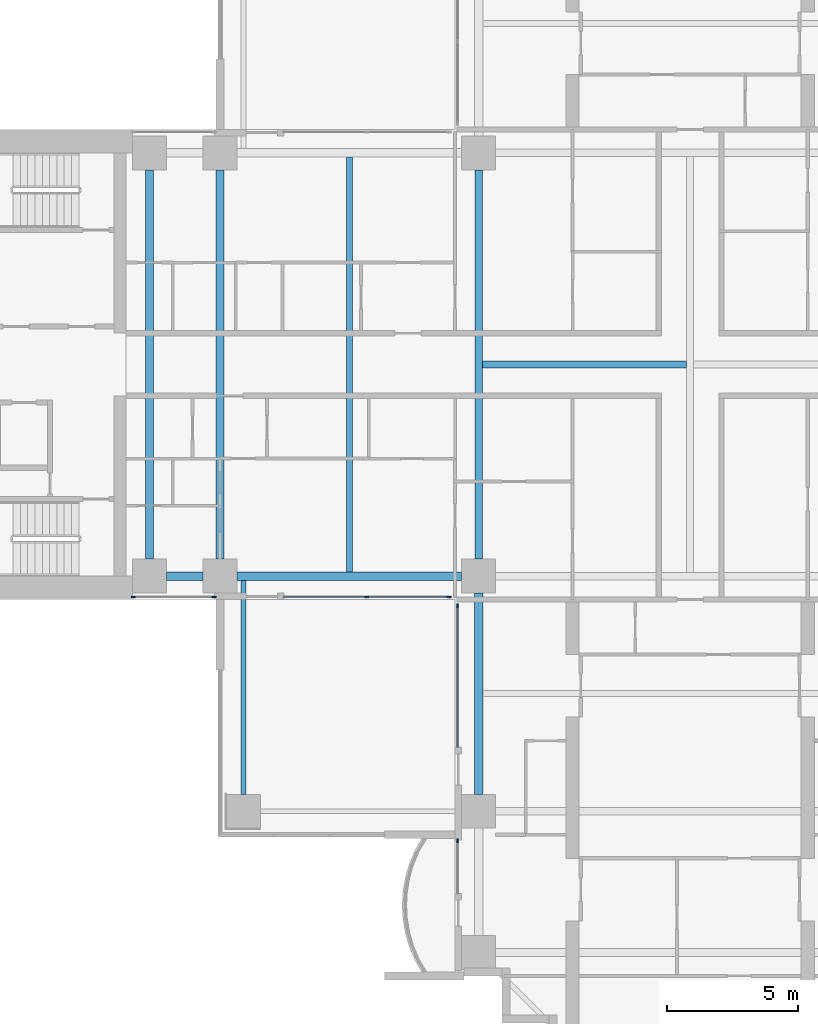
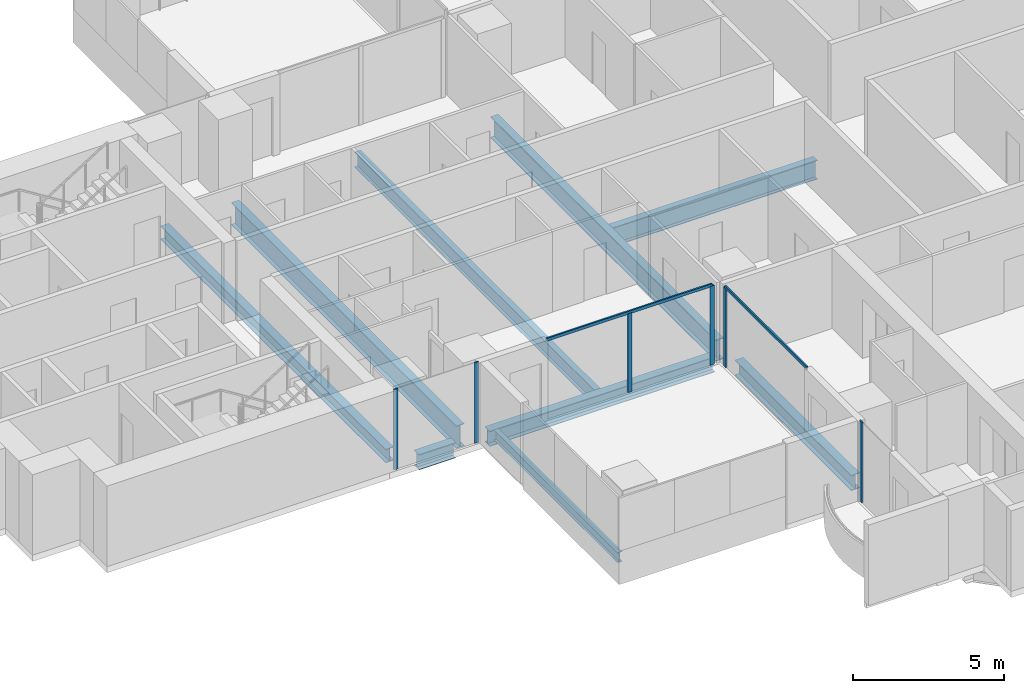
# One storey, part 2 of 21: 9 beams, 8 members, 4 elements without a shape of their own.
"""IFC4 building model written with IfcOpenShell, lengths in metres."""

from ifc_helpers import new_model, si_unit, direction, frame, origin, origin_2d, place, context, subcontext, project, spatial, rectangle, i_section, extrude, material, material_profile, profile_set, type_object, element, aggregate, save


model = new_model("IFC4")

# Units and contexts
model_context = context("Model", 3, precision=1e-05, world=origin(), true_north=direction((0.0, 1.0)))
body_context = subcontext(model_context, "Body", "Model", "MODEL_VIEW")
ifc_project = project(units=[si_unit("LENGTHUNIT", "METRE"), si_unit("AREAUNIT", "SQUARE_METRE"), si_unit("VOLUMEUNIT", "CUBIC_METRE"), si_unit("PLANEANGLEUNIT", "RADIAN"), si_unit("MASSUNIT", "GRAM", prefix="KILO")], contexts=[model_context])

# Site, building, storey
site_placement = place(None, origin())
site = spatial("IfcSite", under=ifc_project, at=site_placement, CompositionType="ELEMENT")
building_placement = place(site_placement, origin())
building = spatial("IfcBuilding", under=site, at=building_placement, Name="Perihelion Cross Residences", CompositionType="ELEMENT")
storey_placement = place(building_placement, frame((0.0, 0.0, 64.5)))
storey = spatial("IfcBuildingStorey", under=building, at=storey_placement, Name="L13", CompositionType="ELEMENT", Elevation=64.5)

# Curtain wall, members
ifc_material_1 = material(Name="Bronze anodised aluminium, tinted glazing", Category="aluminium")
curtain_wall_type = type_object("IfcCurtainWallType", Name="CW1", PredefinedType="NOTDEFINED", material=ifc_material_1)
curtain_wall_1_placement = place(storey_placement, origin())
curtain_wall_1 = element("IfcCurtainWall", 1, at=curtain_wall_1_placement, inside=storey, type_object=curtain_wall_type, Name="Curtain wall CW1 L13 west side south bay 1", PredefinedType="NOTDEFINED")
ifc_material_2 = material(Name="Bronze anodised aluminium", Category="aluminium")
ifc_material_profile_1 = material_profile(ifc_material_2, rectangle(XDim=0.06005859375, YDim=0.159912109375, at=origin_2d()), Name="CW1 mullion")
ifc_profile_set_1 = profile_set([ifc_material_profile_1], Name="Bronze anodised aluminium")
member_type_1 = type_object("IfcMemberType", Name="CW1 mullion", PredefinedType="MULLION", material=ifc_profile_set_1)
member_1_placement = place(storey_placement, frame((-21.320068359375, -8.89990234375, 0.0), z_axis=(0.0, 0.0, 1.0), x_axis=(0.0, 1.0, 0.0)))
member_1 = element("IfcMember", 2, at=member_1_placement, type_object=member_type_1, Name="CW1 mullion 1", PredefinedType="MULLION", context=body_context, shape_type="SweptSolid", body=[
    extrude(rectangle(XDim=0.06005859375, YDim=0.159912109375, at=origin_2d()), origin(), (0.0, 0.0, 1.0), 3.25),
])
member_2_placement = place(storey_placement, frame((-18.22998046875, -8.89990234375, 0.0), z_axis=(0.0, 0.0, 1.0), x_axis=(0.0, 1.0, 0.0)))
member_2 = element("IfcMember", 3, at=member_2_placement, type_object=member_type_1, Name="CW1 mullion 2", PredefinedType="MULLION", context=body_context, shape_type="SweptSolid", body=[
    extrude(rectangle(XDim=0.06005859375, YDim=0.159912109375, at=origin_2d()), origin(), (0.0, 0.0, 1.0), 3.25),
])
aggregate(curtain_wall_1, [member_1, member_2])

curtain_wall_2_placement = place(storey_placement, origin())
curtain_wall_2 = element("IfcCurtainWall", 4, at=curtain_wall_2_placement, inside=storey, type_object=curtain_wall_type, Name="Curtain wall CW1 L13 west side south bay 2", PredefinedType="NOTDEFINED")
member_3_placement = place(storey_placement, frame((-12.375, -8.89990234375, 0.0), z_axis=(0.0, 0.0, 1.0), x_axis=(0.0, 1.0, 0.0)))
member_3 = element("IfcMember", 5, at=member_3_placement, type_object=member_type_1, Name="CW1 mullion 2", PredefinedType="MULLION", context=body_context, shape_type="SweptSolid", body=[
    extrude(rectangle(XDim=0.06005859375, YDim=0.159912109375, at=origin_2d()), origin(), (0.0, 0.0, 1.0), 3.18994140625),
])
member_4_placement = place(storey_placement, frame((-9.22998046875, -8.89990234375, 0.0), z_axis=(0.0, 0.0, 1.0), x_axis=(0.0, 1.0, 0.0)))
member_4 = element("IfcMember", 6, at=member_4_placement, type_object=member_type_1, Name="CW1 mullion 3", PredefinedType="MULLION", context=body_context, shape_type="SweptSolid", body=[
    extrude(rectangle(XDim=0.06005859375, YDim=0.159912109375, at=origin_2d()), origin(), (0.0, 0.0, 1.0), 3.18994140625),
])

# Curtain wall, member
curtain_wall_3_placement = place(storey_placement, origin())
curtain_wall_3 = element("IfcCurtainWall", 7, at=curtain_wall_3_placement, inside=storey, type_object=curtain_wall_type, Name="Curtain wall CW1 L13 south side west bay 1", PredefinedType="NOTDEFINED")
member_5_placement = place(storey_placement, frame((-8.89990234375, -9.22998046875, 0.0), z_axis=(0.0, 0.0, 1.0), x_axis=(1.0, 0.0, 0.0)))
member_5 = element("IfcMember", 8, at=member_5_placement, type_object=member_type_1, Name="CW1 mullion 1", PredefinedType="MULLION", context=body_context, shape_type="SweptSolid", body=[
    extrude(rectangle(XDim=0.06005859375, YDim=0.159912109375, at=origin_2d()), origin(), (0.0, 0.0, 1.0), 3.18994140625),
])

curtain_wall_4_placement = place(storey_placement, origin())
curtain_wall_4 = element("IfcCurtainWall", 9, at=curtain_wall_4_placement, inside=storey, type_object=curtain_wall_type, Name="Curtain wall CW1 L13 south side west bay 2", PredefinedType="NOTDEFINED")
member_6_placement = place(storey_placement, frame((-8.89990234375, -18.22998046875, 0.0), z_axis=(0.0, 0.0, 1.0), x_axis=(1.0, 0.0, 0.0)))
member_6 = element("IfcMember", 10, at=member_6_placement, type_object=member_type_1, Name="CW1 mullion 1", PredefinedType="MULLION", context=body_context, shape_type="SweptSolid", body=[
    extrude(rectangle(XDim=0.06005859375, YDim=0.159912109375, at=origin_2d()), origin(), (0.0, 0.0, 1.0), 3.25),
])
aggregate(curtain_wall_4, [member_6])

# Member
ifc_material_3 = material(Name="Bronze anodised aluminium", Category="aluminium")
ifc_material_profile_2 = material_profile(ifc_material_3, rectangle(XDim=0.06005859375, YDim=0.1201171875, at=origin_2d()), Name="CW1 transom")
ifc_profile_set_2 = profile_set([ifc_material_profile_2], Name="Bronze anodised aluminium")
member_type_2 = type_object("IfcMemberType", Name="CW1 transom", PredefinedType="USERDEFINED", material=ifc_profile_set_2)
member_7_placement = place(storey_placement, frame((-15.550048828125, -8.89990234375, 3.219970703125), z_axis=(1.0, 0.0, 0.0), x_axis=(0.0, 1.0, 0.0)))
member_7 = element("IfcMember", 11, at=member_7_placement, type_object=member_type_2, Name="CW1 head transom", ObjectType="TRANSOM", PredefinedType="USERDEFINED", context=body_context, shape_type="SweptSolid", body=[
    extrude(rectangle(XDim=0.06005859375, YDim=0.1201171875, at=origin_2d()), origin(), (0.0, 0.0, 1.0), 6.320068359375),
])

aggregate(curtain_wall_2, [member_3, member_4, member_7])

member_8_placement = place(storey_placement, frame((-8.89990234375, -9.22998046875, 3.219970703125), z_axis=(0.0, -1.0, 0.0), x_axis=(1.0, 0.0, 0.0)))
member_8 = element("IfcMember", 12, at=member_8_placement, type_object=member_type_2, Name="CW1 head transom", ObjectType="TRANSOM", PredefinedType="USERDEFINED", context=body_context, shape_type="SweptSolid", body=[
    extrude(rectangle(XDim=0.06005859375, YDim=0.1201171875, at=origin_2d()), origin(), (0.0, 0.0, 1.0), 5.419921875),
])

aggregate(curtain_wall_3, [member_5, member_8])

# Beams
ifc_material_4 = material(Name="Steel S355", Category="steel")
ifc_material_profile_3 = material_profile(ifc_material_4, i_section(OverallWidth=0.177978515625, OverallDepth=0.406005859375, WebThickness=0.0078125, FlangeThickness=0.0126953125, at=origin_2d()), Name="W410x60")
ifc_profile_set_3 = profile_set([ifc_material_profile_3], Name="Steel S355")
beam_type_1 = type_object("IfcBeamType", Name="Core edge beam W410x60", PredefinedType="BEAM", material=ifc_profile_set_3)
beam_1_placement = place(storey_placement, frame((-17.10009765625, -8.262451171875, -0.452880859375), z_axis=(0.0, -1.0, 0.0), x_axis=(1.0, 0.0, 0.0)))
element("IfcBeam", 13, at=beam_1_placement, inside=storey, type_object=beam_type_1, Name="Core edge beam TB2 L13 corner no. 1", PredefinedType="BEAM", context=body_context, shape_type="SweptSolid", body=[
    extrude(i_section(OverallWidth=0.177978515625, OverallDepth=0.406005859375, WebThickness=0.0078125, FlangeThickness=0.0126953125, at=origin_2d()), origin(), (0.0, 0.0, 1.0), 8.1875),
])
ifc_material_5 = material(Name="Steel S355", Category="steel")
ifc_material_profile_4 = material_profile(ifc_material_5, i_section(OverallWidth=0.31201171875, OverallDepth=0.5439453125, WebThickness=0.0126953125, FlangeThickness=0.020263671875, at=origin_2d()), Name="W530x150")
ifc_profile_set_4 = profile_set([ifc_material_profile_4], Name="Steel S355")
beam_type_2 = type_object("IfcBeamType", Name="Core edge beam W530x150", PredefinedType="BEAM", material=ifc_profile_set_4)
beam_2_placement = place(storey_placement, frame((-20.699951171875, -7.449951171875, -0.52197265625), z_axis=(0.0, 1.0, 0.0), x_axis=(-1.0, 0.0, 0.0)))
element("IfcBeam", 14, at=beam_2_placement, inside=storey, type_object=beam_type_2, Name="Core edge beam TB4 L13 no. 1", PredefinedType="BEAM", context=body_context, shape_type="SweptSolid", body=[
    extrude(i_section(OverallWidth=0.31201171875, OverallDepth=0.5439453125, WebThickness=0.0126953125, FlangeThickness=0.020263671875, at=origin_2d()), origin(), (0.0, 0.0, 1.0), 14.89990234375),
])
ifc_material_6 = material(Name="Steel S355", Category="steel")
ifc_material_profile_5 = material_profile(ifc_material_6, i_section(OverallWidth=0.324951171875, OverallDepth=0.616943359375, WebThickness=0.013916015625, FlangeThickness=0.021484375, at=origin_2d()), Name="W610x174")
ifc_profile_set_5 = profile_set([ifc_material_profile_5], Name="Steel S355")
beam_type_3 = type_object("IfcBeamType", Name="Edge beam W610x174", PredefinedType="SPANDREL", material=ifc_profile_set_5)
beam_3_placement = place(storey_placement, frame((-20.050048828125, -8.10009765625, -0.55859375), z_axis=(1.0, 0.0, 0.0), x_axis=(0.0, 1.0, 0.0)))
element("IfcBeam", 15, at=beam_3_placement, inside=storey, type_object=beam_type_3, Name="Edge beam SB2 L13 no. 3", PredefinedType="SPANDREL", context=body_context, shape_type="SweptSolid", body=[
    extrude(i_section(OverallWidth=0.324951171875, OverallDepth=0.616943359375, WebThickness=0.013916015625, FlangeThickness=0.021484375, at=origin_2d()), origin(), (0.0, 0.0, 1.0), 1.400146484375),
])
beam_4_placement = place(storey_placement, frame((-17.35009765625, -8.10009765625, -0.55859375), z_axis=(1.0, 0.0, 0.0), x_axis=(0.0, 1.0, 0.0)))
element("IfcBeam", 16, at=beam_4_placement, inside=storey, type_object=beam_type_3, Name="Edge beam SB2 L13 no. 1", PredefinedType="SPANDREL", context=body_context, shape_type="SweptSolid", body=[
    extrude(i_section(OverallWidth=0.324951171875, OverallDepth=0.616943359375, WebThickness=0.013916015625, FlangeThickness=0.021484375, at=origin_2d()), origin(), (0.0, 0.0, 1.0), 8.60009765625),
])
beam_5_placement = place(storey_placement, frame((-8.10009765625, -8.75, -0.55859375), z_axis=(0.0, -1.0, 0.0), x_axis=(1.0, 0.0, 0.0)))
element("IfcBeam", 17, at=beam_5_placement, inside=storey, type_object=beam_type_3, Name="Edge beam SB2 L13 no. 6", PredefinedType="SPANDREL", context=body_context, shape_type="SweptSolid", body=[
    extrude(i_section(OverallWidth=0.324951171875, OverallDepth=0.616943359375, WebThickness=0.013916015625, FlangeThickness=0.021484375, at=origin_2d()), origin(), (0.0, 0.0, 1.0), 7.699951171875),
])
ifc_material_7 = material(Name="Steel S355", Category="steel")
ifc_material_profile_6 = material_profile(ifc_material_7, i_section(OverallWidth=0.304931640625, OverallDepth=0.904052734375, WebThickness=0.01513671875, FlangeThickness=0.02001953125, at=origin_2d()), Name="W920x201")
ifc_profile_set_6 = profile_set([ifc_material_profile_6], Name="Steel S355")
beam_type_4 = type_object("IfcBeamType", Name="Floor girder W920x201", PredefinedType="BEAM", material=ifc_profile_set_6)
beam_6_placement = place(storey_placement, frame((-18.0, -7.449951171875, -0.701904296875), z_axis=(0.0, 1.0, 0.0), x_axis=(-1.0, 0.0, 0.0)))
element("IfcBeam", 18, at=beam_6_placement, inside=storey, type_object=beam_type_4, Name="Girder G2 L13 no. 1", PredefinedType="BEAM", context=body_context, shape_type="SweptSolid", body=[
    extrude(i_section(OverallWidth=0.304931640625, OverallDepth=0.904052734375, WebThickness=0.01513671875, FlangeThickness=0.02001953125, at=origin_2d()), origin(), (0.0, 0.0, 1.0), 14.89990234375),
])
ifc_material_8 = material(Name="Steel S355", Category="steel")
ifc_material_profile_7 = material_profile(ifc_material_8, i_section(OverallWidth=0.22900390625, OverallDepth=0.612060546875, WebThickness=0.011962890625, FlangeThickness=0.01953125, at=origin_2d()), Name="W610x125")
ifc_profile_set_7 = profile_set([ifc_material_profile_7], Name="Steel S355")
beam_type_5 = type_object("IfcBeamType", Name="Floor joist W610x125", PredefinedType="JOIST", material=ifc_profile_set_7)
beam_7_placement = place(storey_placement, frame((-13.050048828125, -7.9375, -0.555908203125), z_axis=(0.0, 1.0, 0.0), x_axis=(-1.0, 0.0, 0.0)))
element("IfcBeam", 19, at=beam_7_placement, inside=storey, type_object=beam_type_5, Name="Joist J3 L13 no. 1", PredefinedType="JOIST", context=body_context, shape_type="SweptSolid", body=[
    extrude(i_section(OverallWidth=0.22900390625, OverallDepth=0.612060546875, WebThickness=0.011962890625, FlangeThickness=0.01953125, at=origin_2d()), origin(), (0.0, 0.0, 1.0), 15.875),
])
ifc_material_9 = material(Name="Steel S355", Category="steel")
ifc_material_profile_8 = material_profile(ifc_material_9, i_section(OverallWidth=0.26708984375, OverallDepth=0.77001953125, WebThickness=0.015625, FlangeThickness=0.025390625, at=origin_2d()), Name="W760x196")
ifc_profile_set_8 = profile_set([ifc_material_profile_8], Name="Steel S355")
beam_type_6 = type_object("IfcBeamType", Name="Hub cross beam W760x196", PredefinedType="BEAM", material=ifc_profile_set_8)
beam_8_placement = place(storey_placement, frame((-7.9541015625, 0.0, -0.635009765625), z_axis=(1.0, 0.0, 0.0), x_axis=(0.0, 1.0, 0.0)))
element("IfcBeam", 20, at=beam_8_placement, inside=storey, type_object=beam_type_6, Name="Hub cross beam XB2 L13 1 no. 1", PredefinedType="BEAM", context=body_context, shape_type="SweptSolid", body=[
    extrude(i_section(OverallWidth=0.26708984375, OverallDepth=0.77001953125, WebThickness=0.015625, FlangeThickness=0.025390625, at=origin_2d()), origin(), (0.0, 0.0, 1.0), 7.820556640625),
])
ifc_material_10 = material(Name="Steel S355", Category="steel")
ifc_material_profile_9 = material_profile(ifc_material_10, i_section(OverallWidth=0.2919921875, OverallDepth=0.85888671875, WebThickness=0.01708984375, FlangeThickness=0.031005859375, at=origin_2d()), Name="W840x251")
ifc_profile_set_9 = profile_set([ifc_material_profile_9], Name="Steel S355")
beam_type_7 = type_object("IfcBeamType", Name="Hub ring girder W840x251", PredefinedType="BEAM", material=ifc_profile_set_9)
beam_9_placement = place(storey_placement, frame((-8.10009765625, 7.449951171875, -0.679443359375), z_axis=(0.0, -1.0, 0.0), x_axis=(1.0, 0.0, 0.0)))
element("IfcBeam", 21, at=beam_9_placement, inside=storey, type_object=beam_type_7, Name="Hub ring girder RG2 L13 no. 2", PredefinedType="BEAM", context=body_context, shape_type="SweptSolid", body=[
    extrude(i_section(OverallWidth=0.2919921875, OverallDepth=0.85888671875, WebThickness=0.01708984375, FlangeThickness=0.031005859375, at=origin_2d()), origin(), (0.0, 0.0, 1.0), 14.89990234375),
])

save(model, "model.ifc")
